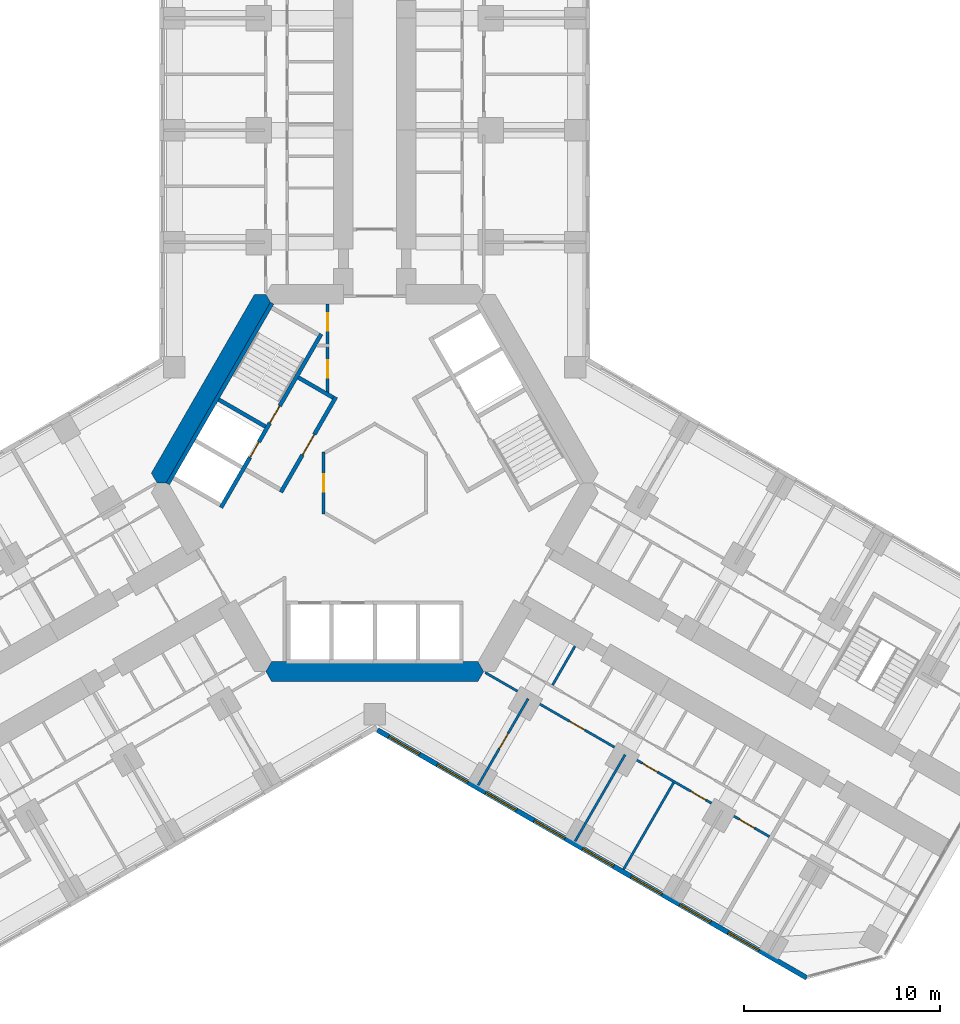
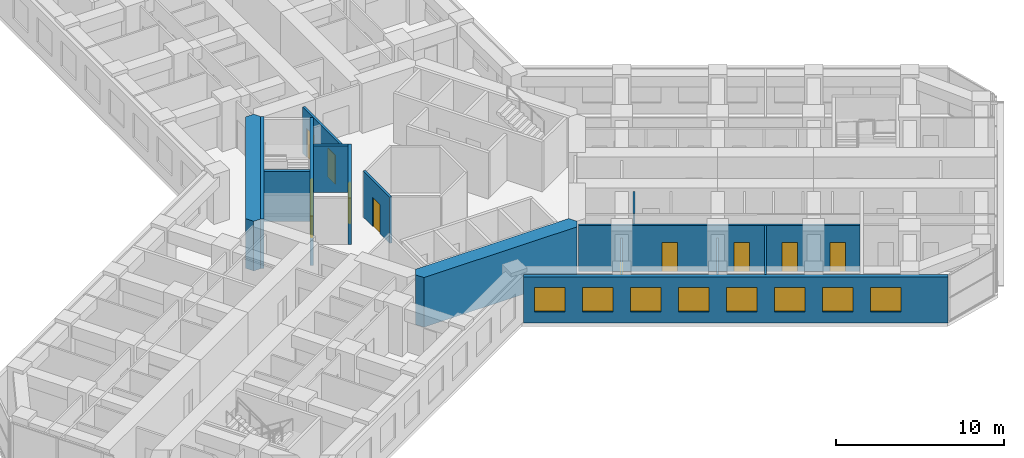
# One storey, part 13 of 21: 15 walls, 11 doors, 8 windows, 19 openings.
"""IFC4 building model written with IfcOpenShell, lengths in metres."""

from ifc_helpers import new_model, si_unit, direction, frame, frame_2d, origin, place, context, subcontext, project, spatial, polyline, rectangle, outline, extrude, material, layer, layer_set, type_object, element, fill, save


model = new_model("IFC4")

# Units and contexts
model_context = context("Model", 3, precision=1e-05, world=origin(), true_north=direction((0.0, 1.0)))
body_context = subcontext(model_context, "Body", "Model", "MODEL_VIEW")
ifc_project = project(units=[si_unit("LENGTHUNIT", "METRE"), si_unit("AREAUNIT", "SQUARE_METRE"), si_unit("VOLUMEUNIT", "CUBIC_METRE"), si_unit("PLANEANGLEUNIT", "RADIAN"), si_unit("MASSUNIT", "GRAM", prefix="KILO")], contexts=[model_context])

# Site, building, storey
site_placement = place(None, origin())
site = spatial("IfcSite", under=ifc_project, at=site_placement, CompositionType="ELEMENT")
building_placement = place(site_placement, origin())
building = spatial("IfcBuilding", under=site, at=building_placement, Name="Kosmar Iwan School Tower", CompositionType="ELEMENT")
storey_placement = place(building_placement, frame((0.0, 0.0, 39.39990234375)))
storey = spatial("IfcBuildingStorey", under=building, at=storey_placement, Name="L08", CompositionType="ELEMENT", Elevation=39.39990234375)

# Wall, openings, doors
ifc_material_1 = material(Name="Gypsum board on steel studs, fire-rated", Category="steel")
ifc_layer_1 = layer(ifc_material_1, 0.14990234375)
ifc_layer_set_1 = layer_set([ifc_layer_1], Name="Core room partition 150")
wall_type_1 = type_object("IfcWallType", Name="Core room partition 150", PredefinedType="PARTITIONING", material=ifc_layer_set_1)
wall_1_placement = place(storey_placement, frame((-2.39990234375, 9.094970703125, 0.0), z_axis=(0.0, 0.0, 1.0), x_axis=(0.0, -1.0, 0.0)))
wall_1 = element("IfcWall", 1, at=wall_1_placement, inside=storey, type_object=wall_type_1, Name="Core room partition L08-CW1", PredefinedType="PARTITIONING", context=body_context, shape_type="SweptSolid", body=[
    extrude(rectangle(XDim=4.564208984375, YDim=0.14990234375, at=frame_2d((2.2822265625, 0.0))), origin(), (0.0, 0.0, 1.0), 3.35009765625),
])
opening_1_placement = place(wall_1_placement, frame((0.455078125, 0.0, 0.0)))
opening_1 = element("IfcOpeningElement", 2, at=opening_1_placement, cuts=wall_1, Name="Opening D14", PredefinedType="OPENING", context=body_context, shape_type="SweptSolid", body=[
    extrude(rectangle(XDim=0.89990234375, YDim=2.10009765625, at=frame_2d((0.449951171875, 1.050048828125))), frame((0.0, 0.0869140625, 0.0), z_axis=(0.0, -1.0, 0.0), x_axis=(1.0, 0.0, 0.0)), (0.0, 0.0, 1.0), 0.173828125),
])
opening_2_placement = place(wall_1_placement, frame((2.85498046875, 0.0, 0.0)))
opening_2 = element("IfcOpeningElement", 3, at=opening_2_placement, cuts=wall_1, Name="Opening D14", PredefinedType="OPENING", context=body_context, shape_type="SweptSolid", body=[
    extrude(rectangle(XDim=0.89990234375, YDim=2.10009765625, at=frame_2d((0.449951171875, 1.050048828125))), frame((0.0, 0.0869140625, 0.0), z_axis=(0.0, -1.0, 0.0), x_axis=(1.0, 0.0, 0.0)), (0.0, 0.0, 1.0), 0.173828125),
])
ifc_material_2 = material(Name="Timber fire door in steel frame", Category="steel")
door_type_1 = type_object("IfcDoorType", Name="Core room door 900x2100", OperationType="SINGLE_SWING_LEFT", PredefinedType="DOOR", material=ifc_material_2)
door_1_placement = place(opening_1_placement, origin())
door_1 = element("IfcDoor", 4, at=door_1_placement, inside=storey, type_object=door_type_1, Name="Electrical riser and switch room door L08 1", OperationType="SINGLE_SWING_LEFT", OverallHeight=2.10009765625, OverallWidth=0.89990234375, PredefinedType="DOOR", context=body_context, shape_type="SweptSolid", body=[
    extrude(rectangle(XDim=0.89990234375, YDim=2.10009765625, at=frame_2d((0.449951171875, 1.050048828125))), frame((0.0, 0.02490234375, 0.0), z_axis=(0.0, -1.0, 0.0), x_axis=(1.0, 0.0, 0.0)), (0.0, 0.0, 1.0), 0.050048828125),
])
fill(opening_1, door_1)
door_2_placement = place(opening_2_placement, origin())
door_2 = element("IfcDoor", 5, at=door_2_placement, inside=storey, type_object=door_type_1, Name="Plumbing and wet riser door L08 2", OperationType="SINGLE_SWING_RIGHT", OverallHeight=2.10009765625, OverallWidth=0.89990234375, PredefinedType="DOOR", context=body_context, shape_type="SweptSolid", body=[
    extrude(rectangle(XDim=0.89990234375, YDim=2.10009765625, at=frame_2d((0.449951171875, 1.050048828125))), frame((0.0, 0.02490234375, 0.0), z_axis=(0.0, -1.0, 0.0), x_axis=(1.0, 0.0, 0.0)), (0.0, 0.0, 1.0), 0.050048828125),
])
fill(opening_2, door_2)

# Wall, opening, door
wall_2_placement = place(storey_placement, frame((-2.60009765625, -1.576171875, 0.0), z_axis=(0.0, 0.0, 1.0), x_axis=(0.0, 1.0, 0.0)))
wall_2 = element("IfcWall", 6, at=wall_2_placement, inside=storey, type_object=wall_type_1, Name="Core room partition L08-CW6", PredefinedType="PARTITIONING", context=body_context, shape_type="SweptSolid", body=[
    extrude(rectangle(XDim=3.15234375, YDim=0.14990234375, at=frame_2d((1.576171875, 0.0))), origin(), (0.0, 0.0, 1.0), 3.35009765625),
])
opening_3_placement = place(wall_2_placement, frame((1.1259765625, 0.0, 0.0)))
opening_3 = element("IfcOpeningElement", 7, at=opening_3_placement, cuts=wall_2, Name="Opening D14", PredefinedType="OPENING", context=body_context, shape_type="SweptSolid", body=[
    extrude(rectangle(XDim=0.89990234375, YDim=2.10009765625, at=frame_2d((0.449951171875, 1.050048828125))), frame((0.0, 0.0869140625, 0.0), z_axis=(0.0, -1.0, 0.0), x_axis=(1.0, 0.0, 0.0)), (0.0, 0.0, 1.0), 0.173828125),
])
door_3_placement = place(opening_3_placement, origin())
door_3 = element("IfcDoor", 8, at=door_3_placement, inside=storey, type_object=door_type_1, Name="Bulky waste store door L08 3", OperationType="SINGLE_SWING_RIGHT", OverallHeight=2.10009765625, OverallWidth=0.89990234375, PredefinedType="DOOR", context=body_context, shape_type="SweptSolid", body=[
    extrude(rectangle(XDim=0.89990234375, YDim=2.10009765625, at=frame_2d((0.449951171875, 1.050048828125))), frame((0.0, 0.02490234375, 0.0), z_axis=(0.0, -1.0, 0.0), x_axis=(1.0, 0.0, 0.0)), (0.0, 0.0, 1.0), 0.050048828125),
])
fill(opening_3, door_3)

# Walls
ifc_material_3 = material(Name="Concrete C50/60", Category="concrete")
ifc_layer_2 = layer(ifc_material_3, 1.0)
ifc_layer_set_2 = layer_set([ifc_layer_2], Name="Core wall 1000")
wall_type_2 = type_object("IfcWallType", Name="Core wall 1000", PredefinedType="SHEAR", material=ifc_layer_set_2)
wall_3_placement = place(storey_placement, origin())
element("IfcWall", 9, at=wall_3_placement, inside=storey, type_object=wall_type_2, Name="Core wall F150", PredefinedType="SHEAR", context=body_context, shape_type="SweptSolid", body=[
    extrude(outline(polyline([(-11.085205078125, 0.0), (-10.5078125, 0.0), (-5.25390625, 9.10009765625), (-5.54248046875, 9.60009765625), (-6.119873046875, 9.60009765625), (-11.373779296875, 0.5), (-11.085205078125, 0.0)])), origin(), (0.0, 0.0, 1.0), 3.60009765625),
])
wall_4_placement = place(storey_placement, origin())
element("IfcWall", 10, at=wall_4_placement, inside=storey, type_object=wall_type_2, Name="Core wall F270", PredefinedType="SHEAR", context=body_context, shape_type="SweptSolid", body=[
    extrude(outline(polyline([(-5.25390625, -10.10009765625), (5.25390625, -10.10009765625), (5.54248046875, -9.60009765625), (5.25390625, -9.10009765625), (-5.25390625, -9.10009765625), (-5.54248046875, -9.60009765625), (-5.25390625, -10.10009765625)])), origin(), (0.0, 0.0, 1.0), 3.60009765625),
])

# Wall, openings, doors
ifc_material_4 = material(Name="Gypsum board on steel studs", Category="steel")
ifc_layer_3 = layer(ifc_material_4, 0.1201171875)
ifc_layer_set_3 = layer_set([ifc_layer_3], Name="Dwelling partition 120")
wall_type_3 = type_object("IfcWallType", Name="Dwelling partition 120", PredefinedType="PARTITIONING", material=ifc_layer_set_3)
wall_5_placement = place(storey_placement, frame((5.61767578125, -9.65185546875, 0.0), z_axis=(0.0, 0.0, 1.0), x_axis=(0.866026212391, -0.49999859945, 0.0)))
wall_5 = element("IfcWall", 11, at=wall_5_placement, inside=storey, type_object=wall_type_3, Name="Partition L08-CR1-W2", PredefinedType="PARTITIONING", context=body_context, shape_type="SweptSolid", body=[
    extrude(rectangle(XDim=16.708984375, YDim=0.1201171875, at=frame_2d((8.3544921875, 0.0))), origin(), (0.0, 0.0, 1.0), 3.35009765625),
])
opening_4_placement = place(wall_5_placement, frame((4.958984375, 0.0, 0.0)))
opening_4 = element("IfcOpeningElement", 12, at=opening_4_placement, cuts=wall_5, Name="Opening D2", PredefinedType="OPENING", context=body_context, shape_type="SweptSolid", body=[
    extrude(rectangle(XDim=0.89990234375, YDim=2.10009765625, at=frame_2d((0.449951171875, 1.050048828125))), frame((0.0, 0.072021484375, 0.0), z_axis=(0.0, -1.0, 0.0), x_axis=(1.0, 0.0, 0.0)), (0.0, 0.0, 1.0), 0.14404296875),
])
opening_5_placement = place(wall_5_placement, frame((9.23388671875, 0.0, 0.0)))
opening_5 = element("IfcOpeningElement", 13, at=opening_5_placement, cuts=wall_5, Name="Opening D2", PredefinedType="OPENING", context=body_context, shape_type="SweptSolid", body=[
    extrude(rectangle(XDim=0.89990234375, YDim=2.10009765625, at=frame_2d((0.449951171875, 1.050048828125))), frame((0.0, 0.072021484375, 0.0), z_axis=(0.0, -1.0, 0.0), x_axis=(1.0, 0.0, 0.0)), (0.0, 0.0, 1.0), 0.14404296875),
])
opening_6_placement = place(wall_5_placement, frame((12.083984375, 0.0, 0.0)))
opening_6 = element("IfcOpeningElement", 14, at=opening_6_placement, cuts=wall_5, Name="Opening D2", PredefinedType="OPENING", context=body_context, shape_type="SweptSolid", body=[
    extrude(rectangle(XDim=0.89990234375, YDim=2.10009765625, at=frame_2d((0.449951171875, 1.050048828125))), frame((0.0, 0.072021484375, 0.0), z_axis=(0.0, -1.0, 0.0), x_axis=(1.0, 0.0, 0.0)), (0.0, 0.0, 1.0), 0.14404296875),
])
opening_7_placement = place(wall_5_placement, frame((14.93408203125, 0.0, 0.0)))
opening_7 = element("IfcOpeningElement", 15, at=opening_7_placement, cuts=wall_5, Name="Opening D2", PredefinedType="OPENING", context=body_context, shape_type="SweptSolid", body=[
    extrude(rectangle(XDim=0.89990234375, YDim=2.10009765625, at=frame_2d((0.449951171875, 1.050048828125))), frame((0.0, 0.072021484375, 0.0), z_axis=(0.0, -1.0, 0.0), x_axis=(1.0, 0.0, 0.0)), (0.0, 0.0, 1.0), 0.14404296875),
])
ifc_material_5 = material(Name="Timber door in timber frame", Category="wood")
door_type_2 = type_object("IfcDoorType", Name="Internal door 900x2100", OperationType="SINGLE_SWING_LEFT", PredefinedType="DOOR", material=ifc_material_5)
door_4_placement = place(opening_4_placement, origin())
door_4 = element("IfcDoor", 16, at=door_4_placement, inside=storey, type_object=door_type_2, Name="Living room door L08-CR1-F2", OperationType="SINGLE_SWING_LEFT", OverallHeight=2.10009765625, OverallWidth=0.89990234375, PredefinedType="DOOR", context=body_context, shape_type="SweptSolid", body=[
    extrude(rectangle(XDim=0.89990234375, YDim=2.10009765625, at=frame_2d((0.449951171875, 1.050048828125))), frame((0.0, 0.02490234375, 0.0), z_axis=(0.0, -1.0, 0.0), x_axis=(1.0, 0.0, 0.0)), (0.0, 0.0, 1.0), 0.050048828125),
])
fill(opening_4, door_4)
door_5_placement = place(opening_5_placement, origin())
door_5 = element("IfcDoor", 17, at=door_5_placement, inside=storey, type_object=door_type_2, Name="Study door L08-CR1-F3", OperationType="SINGLE_SWING_RIGHT", OverallHeight=2.10009765625, OverallWidth=0.89990234375, PredefinedType="DOOR", context=body_context, shape_type="SweptSolid", body=[
    extrude(rectangle(XDim=0.89990234375, YDim=2.10009765625, at=frame_2d((0.449951171875, 1.050048828125))), frame((0.0, 0.02490234375, 0.0), z_axis=(0.0, -1.0, 0.0), x_axis=(1.0, 0.0, 0.0)), (0.0, 0.0, 1.0), 0.050048828125),
])
fill(opening_5, door_5)
door_6_placement = place(opening_6_placement, origin())
door_6 = element("IfcDoor", 18, at=door_6_placement, inside=storey, type_object=door_type_2, Name="Bedroom 1 door L08-CR1-F4", OperationType="SINGLE_SWING_RIGHT", OverallHeight=2.10009765625, OverallWidth=0.89990234375, PredefinedType="DOOR", context=body_context, shape_type="SweptSolid", body=[
    extrude(rectangle(XDim=0.89990234375, YDim=2.10009765625, at=frame_2d((0.449951171875, 1.050048828125))), frame((0.0, 0.02490234375, 0.0), z_axis=(0.0, -1.0, 0.0), x_axis=(1.0, 0.0, 0.0)), (0.0, 0.0, 1.0), 0.050048828125),
])
fill(opening_6, door_6)
door_7_placement = place(opening_7_placement, origin())
door_7 = element("IfcDoor", 19, at=door_7_placement, inside=storey, type_object=door_type_2, Name="Bedroom 2 door L08-CR1-F5", OperationType="SINGLE_SWING_RIGHT", OverallHeight=2.10009765625, OverallWidth=0.89990234375, PredefinedType="DOOR", context=body_context, shape_type="SweptSolid", body=[
    extrude(rectangle(XDim=0.89990234375, YDim=2.10009765625, at=frame_2d((0.449951171875, 1.050048828125))), frame((0.0, 0.02490234375, 0.0), z_axis=(0.0, -1.0, 0.0), x_axis=(1.0, 0.0, 0.0)), (0.0, 0.0, 1.0), 0.050048828125),
])
fill(opening_7, door_7)

# Wall, opening, door
wall_6_placement = place(storey_placement, frame((7.8037109375, -10.9833984375, 0.0), z_axis=(0.0, 0.0, 1.0), x_axis=(-0.499997873537, -0.866026631495, 0.0)))
wall_6 = element("IfcWall", 20, at=wall_6_placement, inside=storey, type_object=wall_type_3, Name="Partition L08-CR1-X1", PredefinedType="PARTITIONING", context=body_context, shape_type="SweptSolid", body=[
    extrude(rectangle(XDim=5.08984375, YDim=0.1201171875, at=frame_2d((2.544921875, 0.0))), origin(), (0.0, 0.0, 1.0), 2.4501953125),
])
opening_8_placement = place(wall_6_placement, frame((2.0400390625, 0.0, 0.0)))
opening_8 = element("IfcOpeningElement", 21, at=opening_8_placement, cuts=wall_6, Name="Opening D2", PredefinedType="OPENING", context=body_context, shape_type="SweptSolid", body=[
    extrude(rectangle(XDim=0.89990234375, YDim=2.10009765625, at=frame_2d((0.449951171875, 1.050048828125))), frame((0.0, 0.072021484375, 0.0), z_axis=(0.0, -1.0, 0.0), x_axis=(1.0, 0.0, 0.0)), (0.0, 0.0, 1.0), 0.14404296875),
])
door_8_placement = place(opening_8_placement, origin())
door_8 = element("IfcDoor", 22, at=door_8_placement, inside=storey, type_object=door_type_2, Name="Kitchen and dining room door L08-CR1-F1", OperationType="SINGLE_SWING_LEFT", OverallHeight=2.10009765625, OverallWidth=0.89990234375, PredefinedType="DOOR", context=body_context, shape_type="SweptSolid", body=[
    extrude(rectangle(XDim=0.89990234375, YDim=2.10009765625, at=frame_2d((0.449951171875, 1.050048828125))), frame((0.0, 0.02490234375, 0.0), z_axis=(0.0, -1.0, 0.0), x_axis=(1.0, 0.0, 0.0)), (0.0, 0.0, 1.0), 0.050048828125),
])
fill(opening_8, door_8)

# Walls
wall_7_placement = place(storey_placement, frame((12.740234375, -13.83349609375, 0.0), z_axis=(0.0, 0.0, 1.0), x_axis=(-0.500033846865, -0.866005861406, 0.0)))
element("IfcWall", 23, at=wall_7_placement, inside=storey, type_object=wall_type_3, Name="Partition L08-CR1-X2", PredefinedType="PARTITIONING", context=body_context, shape_type="SweptSolid", body=[
    extrude(rectangle(XDim=5.090087890625, YDim=0.1201171875, at=frame_2d((2.544921875, 0.0))), origin(), (0.0, 0.0, 1.0), 2.4501953125),
])
wall_8_placement = place(storey_placement, frame((15.208251953125, -15.25830078125, 0.0), z_axis=(0.0, 0.0, 1.0), x_axis=(-0.499977104415, -0.866038622153, 0.0)))
element("IfcWall", 24, at=wall_8_placement, inside=storey, type_object=wall_type_3, Name="Partition L08-CR1-X3", PredefinedType="PARTITIONING", context=body_context, shape_type="SweptSolid", body=[
    extrude(rectangle(XDim=5.090087890625, YDim=0.1201171875, at=frame_2d((2.544921875, 0.0))), origin(), (0.0, 0.0, 1.0), 3.35009765625),
])
wall_9_placement = place(storey_placement, frame((10.19091796875, -8.30859375, 0.0), z_axis=(0.0, 0.0, 1.0), x_axis=(-0.500014693593, -0.866016920268, 0.0)))
element("IfcWall", 25, at=wall_9_placement, inside=storey, type_object=wall_type_3, Name="Partition L08-CR1-Y1", PredefinedType="PARTITIONING", context=body_context, shape_type="SweptSolid", body=[
    extrude(rectangle(XDim=2.2900390625, YDim=0.1201171875, at=frame_2d((1.14501953125, 0.0))), origin(), (0.0, 0.0, 1.0), 3.35009765625),
])

# Wall, openings, windows
ifc_material_6 = material(Name="Black aluminium rainscreen on insulated framing", Category="aluminium")
ifc_layer_4 = layer(ifc_material_6, 0.25)
ifc_layer_set_4 = layer_set([ifc_layer_4], Name="External wall rainscreen 250")
wall_type_4 = type_object("IfcWallType", Name="External wall rainscreen 250", PredefinedType="SOLIDWALL", material=ifc_layer_set_4)
wall_10_placement = place(storey_placement, frame((0.137939453125, -12.5791015625, 0.0), z_axis=(0.0, 0.0, 1.0), x_axis=(0.866023775649, -0.500002820003, 0.0)))
wall_10 = element("IfcWall", 26, at=wall_10_placement, inside=storey, type_object=wall_type_4, Name="External wall CR L08", PredefinedType="SOLIDWALL", context=body_context, shape_type="SweptSolid", body=[
    extrude(rectangle(XDim=25.226318359375, YDim=0.25, at=frame_2d((12.61328125, 0.0))), origin(), (0.0, 0.0, 1.0), 3.35009765625),
])
opening_9_placement = place(wall_10_placement, frame((0.666015625, 0.0, 0.800048828125)))
opening_9 = element("IfcOpeningElement", 27, at=opening_9_placement, cuts=wall_10, Name="Opening W1", PredefinedType="OPENING", context=body_context, shape_type="SweptSolid", body=[
    extrude(rectangle(XDim=1.800048828125, YDim=1.800048828125, at=frame_2d((0.89990234375, 0.89990234375))), frame((0.0, 0.136962890625, 0.0), z_axis=(0.0, -1.0, 0.0), x_axis=(1.0, 0.0, 0.0)), (0.0, 0.0, 1.0), 0.27392578125),
])
opening_10_placement = place(wall_10_placement, frame((3.51611328125, 0.0, 0.800048828125)))
opening_10 = element("IfcOpeningElement", 28, at=opening_10_placement, cuts=wall_10, Name="Opening W1", PredefinedType="OPENING", context=body_context, shape_type="SweptSolid", body=[
    extrude(rectangle(XDim=1.800048828125, YDim=1.800048828125, at=frame_2d((0.89990234375, 0.89990234375))), frame((0.0, 0.136962890625, 0.0), z_axis=(0.0, -1.0, 0.0), x_axis=(1.0, 0.0, 0.0)), (0.0, 0.0, 1.0), 0.27392578125),
])
opening_11_placement = place(wall_10_placement, frame((6.365966796875, 0.0, 0.800048828125)))
opening_11 = element("IfcOpeningElement", 29, at=opening_11_placement, cuts=wall_10, Name="Opening W1", PredefinedType="OPENING", context=body_context, shape_type="SweptSolid", body=[
    extrude(rectangle(XDim=1.800048828125, YDim=1.800048828125, at=frame_2d((0.89990234375, 0.89990234375))), frame((0.0, 0.136962890625, 0.0), z_axis=(0.0, -1.0, 0.0), x_axis=(1.0, 0.0, 0.0)), (0.0, 0.0, 1.0), 0.27392578125),
])
opening_12_placement = place(wall_10_placement, frame((9.216064453125, 0.0, 0.800048828125)))
opening_12 = element("IfcOpeningElement", 30, at=opening_12_placement, cuts=wall_10, Name="Opening W1", PredefinedType="OPENING", context=body_context, shape_type="SweptSolid", body=[
    extrude(rectangle(XDim=1.800048828125, YDim=1.800048828125, at=frame_2d((0.89990234375, 0.89990234375))), frame((0.0, 0.136962890625, 0.0), z_axis=(0.0, -1.0, 0.0), x_axis=(1.0, 0.0, 0.0)), (0.0, 0.0, 1.0), 0.27392578125),
])
opening_13_placement = place(wall_10_placement, frame((12.06591796875, 0.0, 0.800048828125)))
opening_13 = element("IfcOpeningElement", 31, at=opening_13_placement, cuts=wall_10, Name="Opening W1", PredefinedType="OPENING", context=body_context, shape_type="SweptSolid", body=[
    extrude(rectangle(XDim=1.800048828125, YDim=1.800048828125, at=frame_2d((0.89990234375, 0.89990234375))), frame((0.0, 0.136962890625, 0.0), z_axis=(0.0, -1.0, 0.0), x_axis=(1.0, 0.0, 0.0)), (0.0, 0.0, 1.0), 0.27392578125),
])
opening_14_placement = place(wall_10_placement, frame((14.916015625, 0.0, 0.800048828125)))
opening_14 = element("IfcOpeningElement", 32, at=opening_14_placement, cuts=wall_10, Name="Opening W1", PredefinedType="OPENING", context=body_context, shape_type="SweptSolid", body=[
    extrude(rectangle(XDim=1.800048828125, YDim=1.800048828125, at=frame_2d((0.89990234375, 0.89990234375))), frame((0.0, 0.136962890625, 0.0), z_axis=(0.0, -1.0, 0.0), x_axis=(1.0, 0.0, 0.0)), (0.0, 0.0, 1.0), 0.27392578125),
])
opening_15_placement = place(wall_10_placement, frame((17.76611328125, 0.0, 0.800048828125)))
opening_15 = element("IfcOpeningElement", 33, at=opening_15_placement, cuts=wall_10, Name="Opening W1", PredefinedType="OPENING", context=body_context, shape_type="SweptSolid", body=[
    extrude(rectangle(XDim=1.800048828125, YDim=1.800048828125, at=frame_2d((0.89990234375, 0.89990234375))), frame((0.0, 0.136962890625, 0.0), z_axis=(0.0, -1.0, 0.0), x_axis=(1.0, 0.0, 0.0)), (0.0, 0.0, 1.0), 0.27392578125),
])
opening_16_placement = place(wall_10_placement, frame((20.615966796875, 0.0, 0.800048828125)))
opening_16 = element("IfcOpeningElement", 34, at=opening_16_placement, cuts=wall_10, Name="Opening W1", PredefinedType="OPENING", context=body_context, shape_type="SweptSolid", body=[
    extrude(rectangle(XDim=1.800048828125, YDim=1.800048828125, at=frame_2d((0.89990234375, 0.89990234375))), frame((0.0, 0.136962890625, 0.0), z_axis=(0.0, -1.0, 0.0), x_axis=(1.0, 0.0, 0.0)), (0.0, 0.0, 1.0), 0.27392578125),
])
ifc_material_7 = material(Name="Black aluminium frame with dark triple glazing", Category="aluminium")
window_type = type_object("IfcWindowType", Name="Window 1800x1800", PartitioningType="SINGLE_PANEL", PredefinedType="WINDOW", material=ifc_material_7)
window_1_placement = place(opening_9_placement, origin())
window_1 = element("IfcWindow", 35, at=window_1_placement, inside=storey, type_object=window_type, Name="Window CR L08 -1", OverallHeight=1.800048828125, OverallWidth=1.800048828125, PartitioningType="SINGLE_PANEL", PredefinedType="WINDOW", context=body_context, shape_type="SweptSolid", body=[
    extrude(rectangle(XDim=1.800048828125, YDim=1.800048828125, at=frame_2d((0.89990234375, 0.89990234375))), frame((0.0, 0.030029296875, 0.0), z_axis=(0.0, -1.0, 0.0), x_axis=(1.0, 0.0, 0.0)), (0.0, 0.0, 1.0), 0.06005859375),
])
fill(opening_9, window_1)
window_2_placement = place(opening_10_placement, origin())
window_2 = element("IfcWindow", 36, at=window_2_placement, inside=storey, type_object=window_type, Name="Window CR L08 0", OverallHeight=1.800048828125, OverallWidth=1.800048828125, PartitioningType="SINGLE_PANEL", PredefinedType="WINDOW", context=body_context, shape_type="SweptSolid", body=[
    extrude(rectangle(XDim=1.800048828125, YDim=1.800048828125, at=frame_2d((0.89990234375, 0.89990234375))), frame((0.0, 0.030029296875, 0.0), z_axis=(0.0, -1.0, 0.0), x_axis=(1.0, 0.0, 0.0)), (0.0, 0.0, 1.0), 0.06005859375),
])
fill(opening_10, window_2)
window_3_placement = place(opening_11_placement, origin())
window_3 = element("IfcWindow", 37, at=window_3_placement, inside=storey, type_object=window_type, Name="Window CR L08 1", OverallHeight=1.800048828125, OverallWidth=1.800048828125, PartitioningType="SINGLE_PANEL", PredefinedType="WINDOW", context=body_context, shape_type="SweptSolid", body=[
    extrude(rectangle(XDim=1.800048828125, YDim=1.800048828125, at=frame_2d((0.89990234375, 0.89990234375))), frame((0.0, 0.030029296875, 0.0), z_axis=(0.0, -1.0, 0.0), x_axis=(1.0, 0.0, 0.0)), (0.0, 0.0, 1.0), 0.06005859375),
])
fill(opening_11, window_3)
window_4_placement = place(opening_12_placement, origin())
window_4 = element("IfcWindow", 38, at=window_4_placement, inside=storey, type_object=window_type, Name="Window CR L08 2", OverallHeight=1.800048828125, OverallWidth=1.800048828125, PartitioningType="SINGLE_PANEL", PredefinedType="WINDOW", context=body_context, shape_type="SweptSolid", body=[
    extrude(rectangle(XDim=1.800048828125, YDim=1.800048828125, at=frame_2d((0.89990234375, 0.89990234375))), frame((0.0, 0.030029296875, 0.0), z_axis=(0.0, -1.0, 0.0), x_axis=(1.0, 0.0, 0.0)), (0.0, 0.0, 1.0), 0.06005859375),
])
fill(opening_12, window_4)
window_5_placement = place(opening_13_placement, origin())
window_5 = element("IfcWindow", 39, at=window_5_placement, inside=storey, type_object=window_type, Name="Window CR L08 3", OverallHeight=1.800048828125, OverallWidth=1.800048828125, PartitioningType="SINGLE_PANEL", PredefinedType="WINDOW", context=body_context, shape_type="SweptSolid", body=[
    extrude(rectangle(XDim=1.800048828125, YDim=1.800048828125, at=frame_2d((0.89990234375, 0.89990234375))), frame((0.0, 0.030029296875, 0.0), z_axis=(0.0, -1.0, 0.0), x_axis=(1.0, 0.0, 0.0)), (0.0, 0.0, 1.0), 0.06005859375),
])
fill(opening_13, window_5)
window_6_placement = place(opening_14_placement, origin())
window_6 = element("IfcWindow", 40, at=window_6_placement, inside=storey, type_object=window_type, Name="Window CR L08 4", OverallHeight=1.800048828125, OverallWidth=1.800048828125, PartitioningType="SINGLE_PANEL", PredefinedType="WINDOW", context=body_context, shape_type="SweptSolid", body=[
    extrude(rectangle(XDim=1.800048828125, YDim=1.800048828125, at=frame_2d((0.89990234375, 0.89990234375))), frame((0.0, 0.030029296875, 0.0), z_axis=(0.0, -1.0, 0.0), x_axis=(1.0, 0.0, 0.0)), (0.0, 0.0, 1.0), 0.06005859375),
])
fill(opening_14, window_6)
window_7_placement = place(opening_15_placement, origin())
window_7 = element("IfcWindow", 41, at=window_7_placement, inside=storey, type_object=window_type, Name="Window CR L08 5", OverallHeight=1.800048828125, OverallWidth=1.800048828125, PartitioningType="SINGLE_PANEL", PredefinedType="WINDOW", context=body_context, shape_type="SweptSolid", body=[
    extrude(rectangle(XDim=1.800048828125, YDim=1.800048828125, at=frame_2d((0.89990234375, 0.89990234375))), frame((0.0, 0.030029296875, 0.0), z_axis=(0.0, -1.0, 0.0), x_axis=(1.0, 0.0, 0.0)), (0.0, 0.0, 1.0), 0.06005859375),
])
fill(opening_15, window_7)
window_8_placement = place(opening_16_placement, origin())
window_8 = element("IfcWindow", 42, at=window_8_placement, inside=storey, type_object=window_type, Name="Window CR L08 6", OverallHeight=1.800048828125, OverallWidth=1.800048828125, PartitioningType="SINGLE_PANEL", PredefinedType="WINDOW", context=body_context, shape_type="SweptSolid", body=[
    extrude(rectangle(XDim=1.800048828125, YDim=1.800048828125, at=frame_2d((0.89990234375, 0.89990234375))), frame((0.0, 0.030029296875, 0.0), z_axis=(0.0, -1.0, 0.0), x_axis=(1.0, 0.0, 0.0)), (0.0, 0.0, 1.0), 0.06005859375),
])
fill(opening_16, window_8)

# Wall, opening, door
ifc_material_8 = material(Name="Concrete block masonry", Category="masonry")
ifc_layer_5 = layer(ifc_material_8, 0.199951171875)
ifc_layer_set_5 = layer_set([ifc_layer_5], Name="Fire lobby wall 200")
wall_type_5 = type_object("IfcWallType", Name="Fire lobby wall 200", PredefinedType="PARTITIONING", material=ifc_layer_set_5)
wall_11_placement = place(storey_placement, frame((-1.9775390625, 4.374755859375, 0.0), z_axis=(0.0, 0.0, 1.0), x_axis=(-0.500016814911, -0.866015695474, 0.0)))
wall_11 = element("IfcWall", 43, at=wall_11_placement, inside=storey, type_object=wall_type_5, Name="Firefighting lobby wall ST2", PredefinedType="PARTITIONING", context=body_context, shape_type="SweptSolid", body=[
    extrude(rectangle(XDim=5.599853515625, YDim=0.199951171875, at=frame_2d((2.7998046875, 0.0))), origin(), (0.0, 0.0, 1.0), 3.35009765625),
])
opening_17_placement = place(wall_11_placement, frame((2.199951171875, 0.0, 0.0)))
opening_17 = element("IfcOpeningElement", 44, at=opening_17_placement, cuts=wall_11, Name="Opening D7", PredefinedType="OPENING", context=body_context, shape_type="SweptSolid", body=[
    extrude(rectangle(XDim=1.199951171875, YDim=2.10009765625, at=frame_2d((0.60009765625, 1.050048828125))), frame((0.0, 0.112060546875, 0.0), z_axis=(0.0, -1.0, 0.0), x_axis=(1.0, 0.0, 0.0)), (0.0, 0.0, 1.0), 0.223876953125),
])
ifc_material_9 = material(Name="Steel fire door", Category="steel")
door_type_3 = type_object("IfcDoorType", Name="Fire lobby door 1200x2100", OperationType="SINGLE_SWING_LEFT", PredefinedType="DOOR", material=ifc_material_9)
door_9_placement = place(opening_17_placement, frame((1.199951171875, 0.0, 0.0), z_axis=(0.0, 0.0, 1.0), x_axis=(-1.0, 0.0, 0.0)))
door_9 = element("IfcDoor", 45, at=door_9_placement, inside=storey, type_object=door_type_3, Name="Firefighting lobby door ST2 L08", OperationType="SINGLE_SWING_LEFT", OverallHeight=2.10009765625, OverallWidth=1.199951171875, PredefinedType="DOOR", context=body_context, shape_type="SweptSolid", body=[
    extrude(rectangle(XDim=1.199951171875, YDim=2.10009765625, at=frame_2d((0.60009765625, 1.050048828125))), frame((0.0, 0.02490234375, 0.0), z_axis=(0.0, -1.0, 0.0), x_axis=(1.0, 0.0, 0.0)), (0.0, 0.0, 1.0), 0.050048828125),
])
fill(opening_17, door_9)

# Wall
wall_12_placement = place(storey_placement, frame((-2.114013671875, 4.33837890625, 0.0), z_axis=(0.0, 0.0, 1.0), x_axis=(-0.866050731258, 0.499956128963, 0.0)))
element("IfcWall", 46, at=wall_12_placement, inside=storey, type_object=wall_type_5, Name="Firefighting lobby wall ST2", PredefinedType="PARTITIONING", context=body_context, shape_type="SweptSolid", body=[
    extrude(rectangle(XDim=2.050048828125, YDim=0.199951171875, at=frame_2d((1.02490234375, 0.0))), origin(), (0.0, 0.0, 1.0), 3.35009765625),
])

# Wall, openings, doors
ifc_material_10 = material(Name="Concrete C50/60", Category="concrete")
ifc_layer_6 = layer(ifc_material_10, 0.199951171875)
ifc_layer_set_6 = layer_set([ifc_layer_6], Name="Lift shaft wall 200")
wall_type_6 = type_object("IfcWallType", Name="Lift shaft wall 200", PredefinedType="SHEAR", material=ifc_layer_set_6)
wall_13_placement = place(storey_placement, frame((-2.72607421875, 7.578369140625, 0.0), z_axis=(0.0, 0.0, 1.0), x_axis=(-0.500005610874, -0.86602216432, 0.0)))
wall_13 = element("IfcWall", 47, at=wall_13_placement, inside=storey, type_object=wall_type_6, Name="Lift and stair front wall AB", PredefinedType="SHEAR", context=body_context, shape_type="SweptSolid", body=[
    extrude(rectangle(XDim=10.2001953125, YDim=0.199951171875, at=frame_2d((5.10009765625, 0.0))), origin(), (0.0, 0.0, 1.0), 3.60009765625),
])
opening_18_placement = place(wall_13_placement, frame((6.35009765625, 0.0, 0.0)))
opening_18 = element("IfcOpeningElement", 48, at=opening_18_placement, cuts=wall_13, Name="Opening LD2", PredefinedType="OPENING", context=body_context, shape_type="SweptSolid", body=[
    extrude(rectangle(XDim=0.89990234375, YDim=2.10009765625, at=frame_2d((0.449951171875, 1.050048828125))), frame((0.0, 0.112060546875, 0.0), z_axis=(0.0, -1.0, 0.0), x_axis=(1.0, 0.0, 0.0)), (0.0, 0.0, 1.0), 0.223876953125),
])
opening_19_placement = place(wall_13_placement, frame((4.22998046875, 0.0, 0.0)))
opening_19 = element("IfcOpeningElement", 49, at=opening_19_placement, cuts=wall_13, Name="Opening D6", PredefinedType="OPENING", context=body_context, shape_type="SweptSolid", body=[
    extrude(rectangle(XDim=1.0, YDim=2.10009765625, at=frame_2d((0.5, 1.050048828125))), frame((0.0, 0.112060546875, 0.0), z_axis=(0.0, -1.0, 0.0), x_axis=(1.0, 0.0, 0.0)), (0.0, 0.0, 1.0), 0.223876953125),
])
ifc_material_11 = material(Name="Stainless steel sliding lift door", Category="steel")
door_type_4 = type_object("IfcDoorType", Name="Firefighting lift landing door 900x2100", OperationType="SLIDING_TO_LEFT", PredefinedType="DOOR", material=ifc_material_11)
door_10_placement = place(opening_18_placement, origin())
door_10 = element("IfcDoor", 50, at=door_10_placement, inside=storey, type_object=door_type_4, Name="Lift FF2 landing door L08", OperationType="SLIDING_TO_LEFT", OverallHeight=2.10009765625, OverallWidth=0.89990234375, PredefinedType="DOOR", context=body_context, shape_type="SweptSolid", body=[
    extrude(rectangle(XDim=0.89990234375, YDim=2.10009765625, at=frame_2d((0.449951171875, 1.050048828125))), frame((0.0, 0.02490234375, 0.0), z_axis=(0.0, -1.0, 0.0), x_axis=(1.0, 0.0, 0.0)), (0.0, 0.0, 1.0), 0.050048828125),
])
fill(opening_18, door_10)
ifc_material_12 = material(Name="Steel fire door", Category="steel")
door_type_5 = type_object("IfcDoorType", Name="Stair door 1000x2100", OperationType="SINGLE_SWING_LEFT", PredefinedType="DOOR", material=ifc_material_12)
door_11_placement = place(opening_19_placement, origin())
door_11 = element("IfcDoor", 51, at=door_11_placement, inside=storey, type_object=door_type_5, Name="Stair ST2 door L08", OperationType="SINGLE_SWING_LEFT", OverallHeight=2.10009765625, OverallWidth=1.0, PredefinedType="DOOR", context=body_context, shape_type="SweptSolid", body=[
    extrude(rectangle(XDim=1.0, YDim=2.10009765625, at=frame_2d((0.5, 1.050048828125))), frame((0.0, 0.02490234375, 0.0), z_axis=(0.0, -1.0, 0.0), x_axis=(1.0, 0.0, 0.0)), (0.0, 0.0, 1.0), 0.050048828125),
])
fill(opening_19, door_11)

# Walls
wall_14_placement = place(storey_placement, frame((-5.22509765625, 9.14990234375, 0.0), z_axis=(0.0, 0.0, 1.0), x_axis=(-0.499994998079, -0.866028291626, 0.0)))
element("IfcWall", 52, at=wall_14_placement, inside=storey, type_object=wall_type_6, Name="Lift and stair back wall AB", PredefinedType="SHEAR", context=body_context, shape_type="SweptSolid", body=[
    extrude(rectangle(XDim=10.623046875, YDim=0.199951171875, at=frame_2d((5.3115234375, 0.0))), origin(), (0.0, 0.0, 1.0), 3.60009765625),
])
ifc_material_13 = material(Name="Concrete C50/60", Category="concrete")
ifc_layer_7 = layer(ifc_material_13, 0.199951171875)
ifc_layer_set_7 = layer_set([ifc_layer_7], Name="Stair enclosure wall 200")
wall_type_7 = type_object("IfcWallType", Name="Stair enclosure wall 200", PredefinedType="SHEAR", material=ifc_layer_set_7)
wall_15_placement = place(storey_placement, frame((-5.562744140625, 2.865234375, 0.0), z_axis=(0.0, 0.0, 1.0), x_axis=(-0.866027397988, 0.499996545922, 0.0)))
element("IfcWall", 53, at=wall_15_placement, inside=storey, type_object=wall_type_7, Name="Stair ST2 wall", PredefinedType="SHEAR", context=body_context, shape_type="SweptSolid", body=[
    extrude(rectangle(XDim=2.75, YDim=0.199951171875, at=frame_2d((1.375, 0.0))), origin(), (0.0, 0.0, 1.0), 3.60009765625),
])

save(model, "model.ifc")
